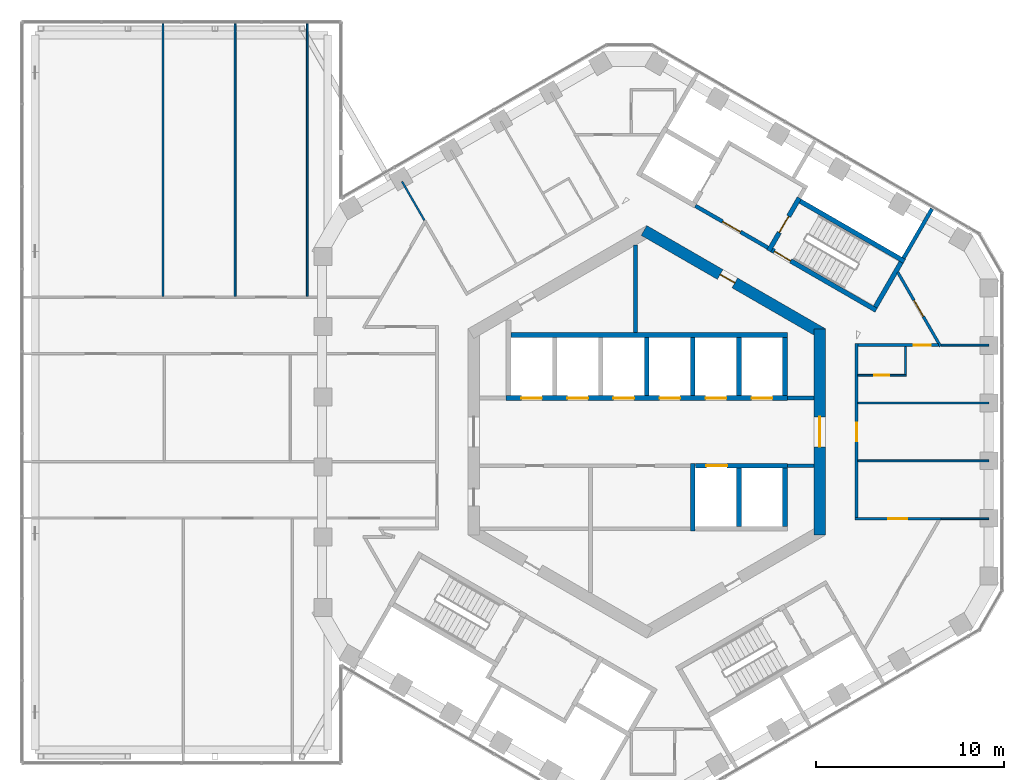
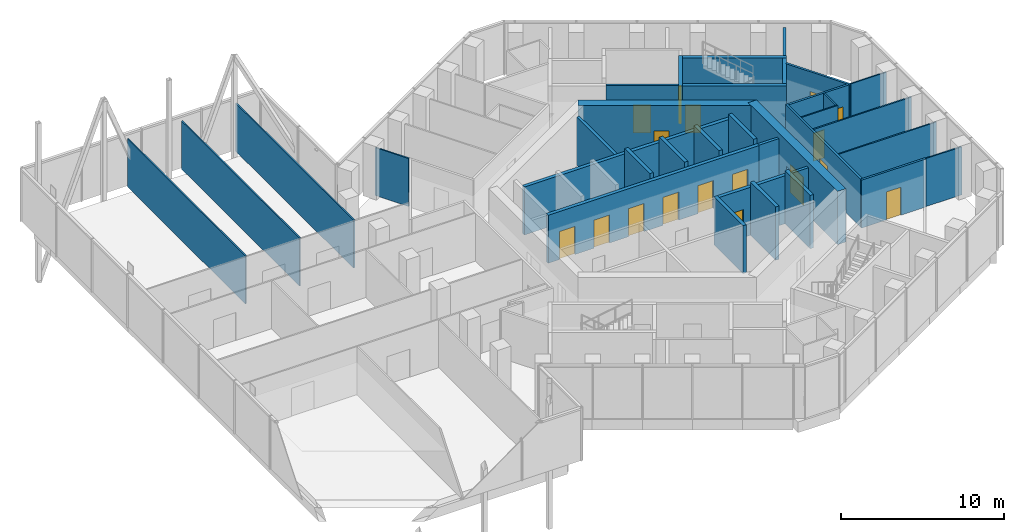
# One storey, part 17 of 21: 35 walls, 17 doors, 17 openings.
"""IFC4 building model written with IfcOpenShell, lengths in metres."""

from ifc_helpers import new_model, si_unit, direction, frame, frame_2d, origin, place, context, subcontext, project, spatial, rectangle, extrude, material, layer, layer_set, type_object, element, fill, save


model = new_model("IFC4")

# Units and contexts
model_context = context("Model", 3, precision=1e-05, world=origin(), true_north=direction((0.0, 1.0)))
body_context = subcontext(model_context, "Body", "Model", "MODEL_VIEW")
ifc_project = project(units=[si_unit("LENGTHUNIT", "METRE"), si_unit("AREAUNIT", "SQUARE_METRE"), si_unit("VOLUMEUNIT", "CUBIC_METRE"), si_unit("PLANEANGLEUNIT", "RADIAN"), si_unit("MASSUNIT", "GRAM", prefix="KILO")], contexts=[model_context])

# Site, building, storey
site_placement = place(None, origin())
site = spatial("IfcSite", under=ifc_project, at=site_placement, CompositionType="ELEMENT")
building_placement = place(site_placement, origin())
building = spatial("IfcBuilding", under=site, at=building_placement, Name="Ayvan Gate Tower", CompositionType="ELEMENT")
storey_placement = place(building_placement, frame((0.0, 0.0, 206.10009765625)))
storey = spatial("IfcBuildingStorey", under=building, at=storey_placement, Name="L55", CompositionType="ELEMENT", Elevation=206.10009765625)

# Wall, opening, door
ifc_material_1 = material(Name="Concrete C60/75", Category="concrete")
ifc_layer_1 = layer(ifc_material_1, 0.60009765625)
ifc_layer_set_1 = layer_set([ifc_layer_1], Name="Concrete C60/75")
wall_type_1 = type_object("IfcWallType", Name="Core wall 600 C60/75", PredefinedType="SHEAR", material=ifc_layer_set_1)
wall_1_placement = place(storey_placement, frame((9.199951171875, -5.48486328125, 0.0), z_axis=(0.0, 0.0, 1.0), x_axis=(0.0, 1.0, 0.0)))
wall_1 = element("IfcWall", 1, at=wall_1_placement, inside=storey, type_object=wall_type_1, Name="CORE-L55-0", PredefinedType="SHEAR", context=body_context, shape_type="SweptSolid", body=[
    extrude(rectangle(XDim=10.9697265625, YDim=0.60009765625, at=frame_2d((5.48486328125, 0.0))), origin(), (0.0, 0.0, 1.0), 4.0),
])
opening_1_placement = place(wall_1_placement, frame((4.684814453125, 0.0, 0.0)))
opening_1 = element("IfcOpeningElement", 2, at=opening_1_placement, cuts=wall_1, Name="Opening L55-D52", PredefinedType="OPENING", context=body_context, shape_type="SweptSolid", body=[
    extrude(rectangle(XDim=1.60009765625, YDim=2.10009765625, at=frame_2d((0.800048828125, 1.050048828125))), frame((0.0, 0.31005859375, 0.0), z_axis=(0.0, -1.0, 0.0), x_axis=(1.0, 0.0, 0.0)), (0.0, 0.0, 1.0), 0.6201171875),
])
ifc_material_2 = material(Name="Timber door leaf", Category="wood")
door_type_1 = type_object("IfcDoorType", Name="DT-1600", OperationType="NOTDEFINED", PredefinedType="DOOR", material=ifc_material_2)
door_1_placement = place(opening_1_placement, origin())
door_1 = element("IfcDoor", 3, at=door_1_placement, inside=storey, type_object=door_type_1, Name="CD-L55-52", OperationType="SINGLE_SWING_LEFT", OverallHeight=2.10009765625, OverallWidth=1.60009765625, PredefinedType="DOOR", context=body_context, shape_type="SweptSolid", body=[
    extrude(rectangle(XDim=1.60009765625, YDim=2.10009765625, at=frame_2d((0.800048828125, 1.050048828125))), frame((0.0, 0.02490234375, 0.0), z_axis=(0.0, -1.0, 0.0), x_axis=(1.0, 0.0, 0.0)), (0.0, 0.0, 1.0), 0.050048828125),
])
fill(opening_1, door_1)

wall_2_placement = place(storey_placement, frame((9.35009765625, 5.22509765625, 0.0), z_axis=(0.0, 0.0, 1.0), x_axis=(-0.866023993627, 0.500002442456, 0.0)))
wall_2 = element("IfcWall", 4, at=wall_2_placement, inside=storey, type_object=wall_type_1, Name="CORE-L55-1", PredefinedType="SHEAR", context=body_context, shape_type="SweptSolid", body=[
    extrude(rectangle(XDim=10.9697265625, YDim=0.60009765625, at=frame_2d((5.48486328125, 0.0))), origin(), (0.0, 0.0, 1.0), 4.0),
])
opening_2_placement = place(wall_2_placement, frame((5.393310546875, 0.0, 0.0)))
opening_2 = element("IfcOpeningElement", 5, at=opening_2_placement, cuts=wall_2, Name="Opening L55-D48", PredefinedType="OPENING", context=body_context, shape_type="SweptSolid", body=[
    extrude(rectangle(XDim=0.89990234375, YDim=2.10009765625, at=frame_2d((0.449951171875, 1.050048828125))), frame((0.0, 0.31005859375, 0.0), z_axis=(0.0, -1.0, 0.0), x_axis=(1.0, 0.0, 0.0)), (0.0, 0.0, 1.0), 0.6201171875),
])
door_type_2 = type_object("IfcDoorType", Name="DT-900", OperationType="NOTDEFINED", PredefinedType="DOOR", material=ifc_material_2)
door_2_placement = place(opening_2_placement, origin())
door_2 = element("IfcDoor", 6, at=door_2_placement, inside=storey, type_object=door_type_2, Name="CD-L55-48", OperationType="SINGLE_SWING_LEFT", OverallHeight=2.10009765625, OverallWidth=0.89990234375, PredefinedType="DOOR", context=body_context, shape_type="SweptSolid", body=[
    extrude(rectangle(XDim=0.89990234375, YDim=2.10009765625, at=frame_2d((0.449951171875, 1.050048828125))), frame((0.0, 0.02490234375, 0.0), z_axis=(0.0, -1.0, 0.0), x_axis=(1.0, 0.0, 0.0)), (0.0, 0.0, 1.0), 0.050048828125),
])
fill(opening_2, door_2)

ifc_material_3 = material(Name="Plasterboard on steel stud", Category="steel")
ifc_layer_2 = layer(ifc_material_3, 0.14990234375)
ifc_layer_set_2 = layer_set([ifc_layer_2], Name="Plasterboard on steel stud")
wall_type_2 = type_object("IfcWallType", Name="WT-CORR-150", PredefinedType="PARTITIONING", material=ifc_layer_set_2)
wall_3_placement = place(storey_placement, frame((11.074951171875, -4.614990234375, 0.0), z_axis=(0.0, 0.0, 1.0), x_axis=(1.0, 0.0, 0.0)))
wall_3 = element("IfcWall", 7, at=wall_3_placement, inside=storey, type_object=wall_type_2, Name="IW-L55-096", PredefinedType="PARTITIONING", context=body_context, shape_type="SweptSolid", body=[
    extrude(rectangle(XDim=4.5771484375, YDim=0.14990234375, at=frame_2d((2.28857421875, 0.0))), origin(), (0.0, 0.0, 1.0), 3.599853515625),
])
opening_3_placement = place(wall_3_placement, frame((1.771240234375, 0.0, 0.0)))
opening_3 = element("IfcOpeningElement", 8, at=opening_3_placement, cuts=wall_3, Name="Opening L55-D21", PredefinedType="OPENING", context=body_context, shape_type="SweptSolid", body=[
    extrude(rectangle(XDim=1.0, YDim=2.10009765625, at=frame_2d((0.5, 1.050048828125))), frame((0.0, 0.0849609375, 0.0), z_axis=(0.0, -1.0, 0.0), x_axis=(1.0, 0.0, 0.0)), (0.0, 0.0, 1.0), 0.169921875),
])
door_type_3 = type_object("IfcDoorType", Name="DT-1000", OperationType="NOTDEFINED", PredefinedType="DOOR", material=ifc_material_2)
door_3_placement = place(opening_3_placement, origin())
door_3 = element("IfcDoor", 9, at=door_3_placement, inside=storey, type_object=door_type_3, Name="ID-L55-021", OperationType="SINGLE_SWING_RIGHT", OverallHeight=2.10009765625, OverallWidth=1.0, PredefinedType="DOOR", context=body_context, shape_type="SweptSolid", body=[
    extrude(rectangle(XDim=1.0, YDim=2.10009765625, at=frame_2d((0.5, 1.050048828125))), frame((0.0, 0.02490234375, 0.0), z_axis=(0.0, -1.0, 0.0), x_axis=(1.0, 0.0, 0.0)), (0.0, 0.0, 1.0), 0.050048828125),
])
fill(opening_3, door_3)

wall_4_placement = place(storey_placement, frame((11.14990234375, -4.5400390625, 0.0), z_axis=(0.0, 0.0, 1.0), x_axis=(0.0, 1.0, 0.0)))
wall_4 = element("IfcWall", 10, at=wall_4_placement, inside=storey, type_object=wall_type_2, Name="IW-L55-098", PredefinedType="PARTITIONING", context=body_context, shape_type="SweptSolid", body=[
    extrude(rectangle(XDim=9.22998046875, YDim=0.14990234375, at=frame_2d((4.614990234375, 0.0))), origin(), (0.0, 0.0, 1.0), 3.599853515625),
])
opening_4_placement = place(wall_4_placement, frame((4.0400390625, 0.0, 0.0)))
opening_4 = element("IfcOpeningElement", 11, at=opening_4_placement, cuts=wall_4, Name="Opening L55-D22", PredefinedType="OPENING", context=body_context, shape_type="SweptSolid", body=[
    extrude(rectangle(XDim=1.0, YDim=2.10009765625, at=frame_2d((0.5, 1.050048828125))), frame((0.0, 0.0849609375, 0.0), z_axis=(0.0, -1.0, 0.0), x_axis=(1.0, 0.0, 0.0)), (0.0, 0.0, 1.0), 0.169921875),
])
door_4_placement = place(opening_4_placement, origin())
door_4 = element("IfcDoor", 12, at=door_4_placement, inside=storey, type_object=door_type_3, Name="ID-L55-022", OperationType="SINGLE_SWING_LEFT", OverallHeight=2.10009765625, OverallWidth=1.0, PredefinedType="DOOR", context=body_context, shape_type="SweptSolid", body=[
    extrude(rectangle(XDim=1.0, YDim=2.10009765625, at=frame_2d((0.5, 1.050048828125))), frame((0.0, 0.02490234375, 0.0), z_axis=(0.0, -1.0, 0.0), x_axis=(1.0, 0.0, 0.0)), (0.0, 0.0, 1.0), 0.050048828125),
])
fill(opening_4, door_4)

wall_5_placement = place(storey_placement, frame((13.34033203125, 8.489501953125, 0.0), z_axis=(0.0, 0.0, 1.0), x_axis=(0.499995010897, -0.866028284225, 0.0)))
wall_5 = element("IfcWall", 13, at=wall_5_placement, inside=storey, type_object=wall_type_2, Name="IW-L55-102", PredefinedType="PARTITIONING", context=body_context, shape_type="SweptSolid", body=[
    extrude(rectangle(XDim=4.548828125, YDim=0.14990234375, at=frame_2d((2.2744140625, 0.0))), origin(), (0.0, 0.0, 1.0), 3.599853515625),
])
opening_5_placement = place(wall_5_placement, frame((1.719482421875, 0.0, 0.0)))
opening_5 = element("IfcOpeningElement", 14, at=opening_5_placement, cuts=wall_5, Name="Opening L55-D25", PredefinedType="OPENING", context=body_context, shape_type="SweptSolid", body=[
    extrude(rectangle(XDim=1.0, YDim=2.10009765625, at=frame_2d((0.5, 1.050048828125))), frame((0.0, 0.0849609375, 0.0), z_axis=(0.0, -1.0, 0.0), x_axis=(1.0, 0.0, 0.0)), (0.0, 0.0, 1.0), 0.169921875),
])
door_5_placement = place(opening_5_placement, origin())
door_5 = element("IfcDoor", 15, at=door_5_placement, inside=storey, type_object=door_type_3, Name="ID-L55-025", OperationType="SINGLE_SWING_RIGHT", OverallHeight=2.10009765625, OverallWidth=1.0, PredefinedType="DOOR", context=body_context, shape_type="SweptSolid", body=[
    extrude(rectangle(XDim=1.0, YDim=2.10009765625, at=frame_2d((0.5, 1.050048828125))), frame((0.0, 0.02490234375, 0.0), z_axis=(0.0, -1.0, 0.0), x_axis=(1.0, 0.0, 0.0)), (0.0, 0.0, 1.0), 0.050048828125),
])
fill(opening_5, door_5)

wall_6_placement = place(storey_placement, frame((11.22509765625, 4.614990234375, 0.0), z_axis=(0.0, 0.0, 1.0), x_axis=(1.0, 0.0, 0.0)))
wall_6 = element("IfcWall", 16, at=wall_6_placement, inside=storey, type_object=wall_type_2, Name="IW-L55-105", PredefinedType="PARTITIONING", context=body_context, shape_type="SweptSolid", body=[
    extrude(rectangle(XDim=4.277099609375, YDim=0.14990234375, at=frame_2d((2.138671875, 0.0))), origin(), (0.0, 0.0, 1.0), 3.599853515625),
])
opening_6_placement = place(wall_6_placement, frame((2.966064453125, 0.0, 0.0)))
opening_6 = element("IfcOpeningElement", 17, at=opening_6_placement, cuts=wall_6, Name="Opening L55-D23", PredefinedType="OPENING", context=body_context, shape_type="SweptSolid", body=[
    extrude(rectangle(XDim=0.89990234375, YDim=2.10009765625, at=frame_2d((0.449951171875, 1.050048828125))), frame((0.0, 0.0849609375, 0.0), z_axis=(0.0, -1.0, 0.0), x_axis=(1.0, 0.0, 0.0)), (0.0, 0.0, 1.0), 0.169921875),
])
door_6_placement = place(opening_6_placement, origin())
door_6 = element("IfcDoor", 18, at=door_6_placement, inside=storey, type_object=door_type_2, Name="ID-L55-023", OperationType="SINGLE_SWING_RIGHT", OverallHeight=2.10009765625, OverallWidth=0.89990234375, PredefinedType="DOOR", context=body_context, shape_type="SweptSolid", body=[
    extrude(rectangle(XDim=0.89990234375, YDim=2.10009765625, at=frame_2d((0.449951171875, 1.050048828125))), frame((0.0, 0.02490234375, 0.0), z_axis=(0.0, -1.0, 0.0), x_axis=(1.0, 0.0, 0.0)), (0.0, 0.0, 1.0), 0.050048828125),
])
fill(opening_6, door_6)

# Walls
ifc_layer_3 = layer(ifc_material_3, 0.10009765625)
ifc_layer_set_3 = layer_set([ifc_layer_3], Name="Plasterboard on steel stud")
wall_type_3 = type_object("IfcWallType", Name="WT-PART-100", PredefinedType="PARTITIONING", material=ifc_layer_set_3)
for number, where, z_axis, x_axis, name in (
    (19, (-25.720703125, 7.21337890625, 0.0), (0.0, 0.0, 1.0), (0.0, 1.0, 0.0), "IW-L55-002"),
    (20, (-21.886962890625, 7.21337890625, 0.0), (0.0, 0.0, 1.0), (0.0, 1.0, 0.0), "IW-L55-007"),
    (21, (-18.053466796875, 7.21337890625, 0.0), (0.0, 0.0, 1.0), (0.0, 1.0, 0.0), "IW-L55-010"),
):
    element("IfcWall", number, at=place(storey_placement, frame(where, z_axis=z_axis, x_axis=x_axis)), inside=storey, type_object=wall_type_3, Name=name, PredefinedType="PARTITIONING", context=body_context, shape_type="SweptSolid", body=[
        extrude(rectangle(XDim=14.482666015625, YDim=0.10009765625, at=frame_2d((7.2412109375, 0.0))), origin(), (0.0, 0.0, 1.0), 3.599853515625),
    ])
wall_7_placement = place(storey_placement, frame((-11.82275390625, 11.24755859375, 0.0), z_axis=(0.0, 0.0, 1.0), x_axis=(-0.499938113561, 0.866061130988, 0.0)))
element("IfcWall", 22, at=wall_7_placement, inside=storey, type_object=wall_type_3, Name="IW-L55-022", PredefinedType="PARTITIONING", context=body_context, shape_type="SweptSolid", body=[
    extrude(rectangle(XDim=2.384521484375, YDim=0.10009765625, at=frame_2d((1.1923828125, 0.0))), origin(), (0.0, 0.0, 1.0), 3.599853515625),
])
for number, where, z_axis, x_axis, name in (
    (23, (11.22509765625, -1.538330078125, 0.0), (0.0, 0.0, 1.0), (1.0, 0.0, 0.0), "IW-L55-097"),
    (24, (11.22509765625, 1.538330078125, 0.0), (0.0, 0.0, 1.0), (1.0, 0.0, 0.0), "IW-L55-099"),
):
    element("IfcWall", number, at=place(storey_placement, frame(where, z_axis=z_axis, x_axis=x_axis)), inside=storey, type_object=wall_type_3, Name=name, PredefinedType="PARTITIONING", context=body_context, shape_type="SweptSolid", body=[
        extrude(rectangle(XDim=6.96142578125, YDim=0.10009765625, at=frame_2d((3.480712890625, 0.0))), origin(), (0.0, 0.0, 1.0), 3.599853515625),
    ])

# Wall, opening, door
wall_8_placement = place(storey_placement, frame((11.22509765625, 3.014892578125, 0.0), z_axis=(0.0, 0.0, 1.0), x_axis=(1.0, 0.0, 0.0)))
wall_8 = element("IfcWall", 25, at=wall_8_placement, inside=storey, type_object=wall_type_3, Name="IW-L55-100", PredefinedType="PARTITIONING", context=body_context, shape_type="SweptSolid", body=[
    extrude(rectangle(XDim=2.574951171875, YDim=0.10009765625, at=frame_2d((1.28759765625, 0.0))), origin(), (0.0, 0.0, 1.0), 3.599853515625),
])
opening_7_placement = place(wall_8_placement, frame((0.862548828125, 0.0, 0.0)))
opening_7 = element("IfcOpeningElement", 26, at=opening_7_placement, cuts=wall_8, Name="Opening L55-D24", PredefinedType="OPENING", context=body_context, shape_type="SweptSolid", body=[
    extrude(rectangle(XDim=0.800048828125, YDim=2.10009765625, at=frame_2d((0.39990234375, 1.050048828125))), frame((0.0, 0.06005859375, 0.0), z_axis=(0.0, -1.0, 0.0), x_axis=(1.0, 0.0, 0.0)), (0.0, 0.0, 1.0), 0.1201171875),
])
door_type_4 = type_object("IfcDoorType", Name="DT-800", OperationType="NOTDEFINED", PredefinedType="DOOR", material=ifc_material_2)
door_7_placement = place(opening_7_placement, origin())
door_7 = element("IfcDoor", 27, at=door_7_placement, inside=storey, type_object=door_type_4, Name="ID-L55-024", OperationType="SINGLE_SWING_LEFT", OverallHeight=2.10009765625, OverallWidth=0.800048828125, PredefinedType="DOOR", context=body_context, shape_type="SweptSolid", body=[
    extrude(rectangle(XDim=0.800048828125, YDim=2.10009765625, at=frame_2d((0.39990234375, 1.050048828125))), frame((0.0, 0.02490234375, 0.0), z_axis=(0.0, -1.0, 0.0), x_axis=(1.0, 0.0, 0.0)), (0.0, 0.0, 1.0), 0.050048828125),
])
fill(opening_7, door_7)

# Walls
wall_9_placement = place(storey_placement, frame((13.75, 3.06494140625, 0.0), z_axis=(0.0, 0.0, 1.0), x_axis=(0.0, 1.0, 0.0)))
element("IfcWall", 28, at=wall_9_placement, inside=storey, type_object=wall_type_3, Name="IW-L55-104", PredefinedType="PARTITIONING", context=body_context, shape_type="SweptSolid", body=[
    extrude(rectangle(XDim=1.47509765625, YDim=0.10009765625, at=frame_2d((0.737548828125, 0.0))), origin(), (0.0, 0.0, 1.0), 3.599853515625),
])
for number, where, z_axis, x_axis, name in (
    (29, (15.652099609375, 4.614990234375, 0.0), (0.0, 0.0, 1.0), (1.0, 0.0, 0.0), "IW-L55-107"),
    (30, (18.1865234375, -4.614990234375, 0.0), (0.0, 0.0, 1.0), (-1.0, 0.0, 0.0), "IW-L55-109"),
):
    element("IfcWall", number, at=place(storey_placement, frame(where, z_axis=z_axis, x_axis=x_axis)), inside=storey, type_object=wall_type_3, Name=name, PredefinedType="PARTITIONING", context=body_context, shape_type="SweptSolid", body=[
        extrude(rectangle(XDim=2.534423828125, YDim=0.10009765625, at=frame_2d((1.26708984375, 0.0))), origin(), (0.0, 0.0, 1.0), 3.599853515625),
    ])
ifc_layer_4 = layer(ifc_material_3, 0.199951171875)
ifc_layer_set_4 = layer_set([ifc_layer_4], Name="Plasterboard on steel stud")
wall_type_4 = type_object("IfcWallType", Name="WT-PLUMB-200", PredefinedType="PLUMBINGWALL", material=ifc_layer_set_4)
wall_10_placement = place(storey_placement, frame((15.16064453125, 11.85888671875, 0.0), z_axis=(0.0, 0.0, 1.0), x_axis=(-0.49999255039, -0.866029704776, 0.0)))
element("IfcWall", 31, at=wall_10_placement, inside=storey, type_object=wall_type_4, Name="IW-L55-106", PredefinedType="PLUMBINGWALL", context=body_context, shape_type="SweptSolid", body=[
    extrude(rectangle(XDim=3.025390625, YDim=0.199951171875, at=frame_2d((1.5126953125, 0.0))), origin(), (0.0, 0.0, 1.0), 3.599853515625),
])
ifc_layer_5 = layer(ifc_material_3, 0.199951171875)
ifc_layer_set_5 = layer_set([ifc_layer_5], Name="Plasterboard on steel stud")
wall_type_5 = type_object("IfcWallType", Name="WT-RATED-200", PredefinedType="PARTITIONING", material=ifc_layer_set_5)
wall_11_placement = place(storey_placement, frame((-0.60009765625, 9.930419921875, 0.0), z_axis=(0.0, 0.0, 1.0), x_axis=(0.0, -1.0, 0.0)))
element("IfcWall", 32, at=wall_11_placement, inside=storey, type_object=wall_type_5, Name="IW-L55-057", PredefinedType="PARTITIONING", context=body_context, shape_type="SweptSolid", body=[
    extrude(rectangle(XDim=4.655517578125, YDim=0.199951171875, at=frame_2d((2.32763671875, 0.0))), origin(), (0.0, 0.0, 1.0), 3.599853515625),
])

# Wall, opening, door
wall_12_placement = place(storey_placement, frame((6.4345703125, 9.794921875, 0.0), z_axis=(0.0, 0.0, 1.0), x_axis=(-0.866012907634, 0.500021643343, 0.0)))
wall_12 = element("IfcWall", 33, at=wall_12_placement, inside=storey, type_object=wall_type_5, Name="IW-L55-080", PredefinedType="PARTITIONING", context=body_context, shape_type="SweptSolid", body=[
    extrude(rectangle(XDim=4.449951171875, YDim=0.199951171875, at=frame_2d((2.22509765625, 0.0))), origin(), (0.0, 0.0, 1.0), 3.599853515625),
])
opening_8_placement = place(wall_12_placement, frame((1.675048828125, 0.0, 0.0)))
opening_8 = element("IfcOpeningElement", 34, at=opening_8_placement, cuts=wall_12, Name="Opening L55-D12", PredefinedType="OPENING", context=body_context, shape_type="SweptSolid", body=[
    extrude(rectangle(XDim=1.10009765625, YDim=2.10009765625, at=frame_2d((0.550048828125, 1.050048828125))), frame((0.0, 0.10986328125, 0.0), z_axis=(0.0, -1.0, 0.0), x_axis=(1.0, 0.0, 0.0)), (0.0, 0.0, 1.0), 0.219970703125),
])
door_type_5 = type_object("IfcDoorType", Name="DT-1100", OperationType="NOTDEFINED", PredefinedType="DOOR", material=ifc_material_2)
door_8_placement = place(opening_8_placement, origin())
door_8 = element("IfcDoor", 35, at=door_8_placement, inside=storey, type_object=door_type_5, Name="ID-L55-012", OperationType="SINGLE_SWING_LEFT", OverallHeight=2.10009765625, OverallWidth=1.10009765625, PredefinedType="DOOR", context=body_context, shape_type="SweptSolid", body=[
    extrude(rectangle(XDim=1.10009765625, YDim=2.10009765625, at=frame_2d((0.550048828125, 1.050048828125))), frame((0.0, 0.02490234375, 0.0), z_axis=(0.0, -1.0, 0.0), x_axis=(1.0, 0.0, 0.0)), (0.0, 0.0, 1.0), 0.050048828125),
])
fill(opening_8, door_8)

# Walls
for number, where, z_axis, x_axis, name in (
    (36, (7.474853515625, 1.800048828125, 0.0), (0.0, 0.0, 1.0), (1.0, 0.0, 0.0), "IW-L55-086"),
    (37, (8.89990234375, -1.800048828125, 0.0), (0.0, 0.0, 1.0), (-1.0, 0.0, 0.0), "IW-L55-092"),
):
    element("IfcWall", number, at=place(storey_placement, frame(where, z_axis=z_axis, x_axis=x_axis)), inside=storey, type_object=wall_type_5, Name=name, PredefinedType="PARTITIONING", context=body_context, shape_type="SweptSolid", body=[
        extrude(rectangle(XDim=1.425048828125, YDim=0.199951171875, at=frame_2d((0.71240234375, 0.0))), origin(), (0.0, 0.0, 1.0), 3.599853515625),
    ])

# Wall, openings, doors
ifc_material_4 = material(Name="Concrete C50/60", Category="concrete")
ifc_layer_6 = layer(ifc_material_4, 0.25)
ifc_layer_set_6 = layer_set([ifc_layer_6], Name="Concrete C50/60")
wall_type_6 = type_object("IfcWallType", Name="WT-RC-250", PredefinedType="SHEAR", material=ifc_layer_set_6)
wall_13_placement = place(storey_placement, frame((-7.47509765625, 1.800048828125, 0.0), z_axis=(0.0, 0.0, 1.0), x_axis=(1.0, 0.0, 0.0)))
wall_13 = element("IfcWall", 38, at=wall_13_placement, inside=storey, type_object=wall_type_6, Name="IW-L55-032", PredefinedType="SHEAR", context=body_context, shape_type="SweptSolid", body=[
    extrude(rectangle(XDim=14.9501953125, YDim=0.25, at=frame_2d((7.47509765625, 0.0))), origin(), (0.0, 0.0, 1.0), 3.599853515625),
])
opening_9_placement = place(wall_13_placement, frame((0.800048828125, 0.0, 0.0)))
opening_9 = element("IfcOpeningElement", 39, at=opening_9_placement, cuts=wall_13, Name="Opening L55-LD-HR1", PredefinedType="OPENING", context=body_context, shape_type="SweptSolid", body=[
    extrude(rectangle(XDim=1.10009765625, YDim=2.10009765625, at=frame_2d((0.550048828125, 1.050048828125))), frame((0.0, 0.135009765625, 0.0), z_axis=(0.0, -1.0, 0.0), x_axis=(1.0, 0.0, 0.0)), (0.0, 0.0, 1.0), 0.27001953125),
])
opening_10_placement = place(wall_13_placement, frame((3.25, 0.0, 0.0)))
opening_10 = element("IfcOpeningElement", 40, at=opening_10_placement, cuts=wall_13, Name="Opening L55-LD-HR2", PredefinedType="OPENING", context=body_context, shape_type="SweptSolid", body=[
    extrude(rectangle(XDim=1.10009765625, YDim=2.10009765625, at=frame_2d((0.550048828125, 1.050048828125))), frame((0.0, 0.135009765625, 0.0), z_axis=(0.0, -1.0, 0.0), x_axis=(1.0, 0.0, 0.0)), (0.0, 0.0, 1.0), 0.27001953125),
])
opening_11_placement = place(wall_13_placement, frame((5.7001953125, 0.0, 0.0)))
opening_11 = element("IfcOpeningElement", 41, at=opening_11_placement, cuts=wall_13, Name="Opening L55-LD-HR3", PredefinedType="OPENING", context=body_context, shape_type="SweptSolid", body=[
    extrude(rectangle(XDim=1.10009765625, YDim=2.10009765625, at=frame_2d((0.550048828125, 1.050048828125))), frame((0.0, 0.135009765625, 0.0), z_axis=(0.0, -1.0, 0.0), x_axis=(1.0, 0.0, 0.0)), (0.0, 0.0, 1.0), 0.27001953125),
])
opening_12_placement = place(wall_13_placement, frame((8.150146484375, 0.0, 0.0)))
opening_12 = element("IfcOpeningElement", 42, at=opening_12_placement, cuts=wall_13, Name="Opening L55-LD-HR4", PredefinedType="OPENING", context=body_context, shape_type="SweptSolid", body=[
    extrude(rectangle(XDim=1.10009765625, YDim=2.10009765625, at=frame_2d((0.550048828125, 1.050048828125))), frame((0.0, 0.135009765625, 0.0), z_axis=(0.0, -1.0, 0.0), x_axis=(1.0, 0.0, 0.0)), (0.0, 0.0, 1.0), 0.27001953125),
])
opening_13_placement = place(wall_13_placement, frame((10.60009765625, 0.0, 0.0)))
opening_13 = element("IfcOpeningElement", 43, at=opening_13_placement, cuts=wall_13, Name="Opening L55-LD-HR5", PredefinedType="OPENING", context=body_context, shape_type="SweptSolid", body=[
    extrude(rectangle(XDim=1.10009765625, YDim=2.10009765625, at=frame_2d((0.550048828125, 1.050048828125))), frame((0.0, 0.135009765625, 0.0), z_axis=(0.0, -1.0, 0.0), x_axis=(1.0, 0.0, 0.0)), (0.0, 0.0, 1.0), 0.27001953125),
])
opening_14_placement = place(wall_13_placement, frame((13.050048828125, 0.0, 0.0)))
opening_14 = element("IfcOpeningElement", 44, at=opening_14_placement, cuts=wall_13, Name="Opening L55-LD-HR6", PredefinedType="OPENING", context=body_context, shape_type="SweptSolid", body=[
    extrude(rectangle(XDim=1.10009765625, YDim=2.10009765625, at=frame_2d((0.550048828125, 1.050048828125))), frame((0.0, 0.135009765625, 0.0), z_axis=(0.0, -1.0, 0.0), x_axis=(1.0, 0.0, 0.0)), (0.0, 0.0, 1.0), 0.27001953125),
])
ifc_material_5 = material(Name="Stainless steel landing door", Category="steel")
door_type_6 = type_object("IfcDoorType", Name="DT-LANDING-1100", OperationType="SLIDING_TO_LEFT", PredefinedType="DOOR", material=ifc_material_5)
door_9_placement = place(opening_9_placement, origin())
door_9 = element("IfcDoor", 45, at=door_9_placement, inside=storey, type_object=door_type_6, Name="ID-L55-001", OperationType="SLIDING_TO_LEFT", OverallHeight=2.10009765625, OverallWidth=1.10009765625, PredefinedType="DOOR", context=body_context, shape_type="SweptSolid", body=[
    extrude(rectangle(XDim=1.10009765625, YDim=2.10009765625, at=frame_2d((0.550048828125, 1.050048828125))), frame((0.0, 0.02490234375, 0.0), z_axis=(0.0, -1.0, 0.0), x_axis=(1.0, 0.0, 0.0)), (0.0, 0.0, 1.0), 0.050048828125),
])
fill(opening_9, door_9)
door_10_placement = place(opening_10_placement, origin())
door_10 = element("IfcDoor", 46, at=door_10_placement, inside=storey, type_object=door_type_6, Name="ID-L55-002", OperationType="SLIDING_TO_LEFT", OverallHeight=2.10009765625, OverallWidth=1.10009765625, PredefinedType="DOOR", context=body_context, shape_type="SweptSolid", body=[
    extrude(rectangle(XDim=1.10009765625, YDim=2.10009765625, at=frame_2d((0.550048828125, 1.050048828125))), frame((0.0, 0.02490234375, 0.0), z_axis=(0.0, -1.0, 0.0), x_axis=(1.0, 0.0, 0.0)), (0.0, 0.0, 1.0), 0.050048828125),
])
fill(opening_10, door_10)
door_11_placement = place(opening_11_placement, origin())
door_11 = element("IfcDoor", 47, at=door_11_placement, inside=storey, type_object=door_type_6, Name="ID-L55-003", OperationType="SLIDING_TO_LEFT", OverallHeight=2.10009765625, OverallWidth=1.10009765625, PredefinedType="DOOR", context=body_context, shape_type="SweptSolid", body=[
    extrude(rectangle(XDim=1.10009765625, YDim=2.10009765625, at=frame_2d((0.550048828125, 1.050048828125))), frame((0.0, 0.02490234375, 0.0), z_axis=(0.0, -1.0, 0.0), x_axis=(1.0, 0.0, 0.0)), (0.0, 0.0, 1.0), 0.050048828125),
])
fill(opening_11, door_11)
door_12_placement = place(opening_12_placement, origin())
door_12 = element("IfcDoor", 48, at=door_12_placement, inside=storey, type_object=door_type_6, Name="ID-L55-004", OperationType="SLIDING_TO_LEFT", OverallHeight=2.10009765625, OverallWidth=1.10009765625, PredefinedType="DOOR", context=body_context, shape_type="SweptSolid", body=[
    extrude(rectangle(XDim=1.10009765625, YDim=2.10009765625, at=frame_2d((0.550048828125, 1.050048828125))), frame((0.0, 0.02490234375, 0.0), z_axis=(0.0, -1.0, 0.0), x_axis=(1.0, 0.0, 0.0)), (0.0, 0.0, 1.0), 0.050048828125),
])
fill(opening_12, door_12)
door_13_placement = place(opening_13_placement, origin())
door_13 = element("IfcDoor", 49, at=door_13_placement, inside=storey, type_object=door_type_6, Name="ID-L55-005", OperationType="SLIDING_TO_LEFT", OverallHeight=2.10009765625, OverallWidth=1.10009765625, PredefinedType="DOOR", context=body_context, shape_type="SweptSolid", body=[
    extrude(rectangle(XDim=1.10009765625, YDim=2.10009765625, at=frame_2d((0.550048828125, 1.050048828125))), frame((0.0, 0.02490234375, 0.0), z_axis=(0.0, -1.0, 0.0), x_axis=(1.0, 0.0, 0.0)), (0.0, 0.0, 1.0), 0.050048828125),
])
fill(opening_13, door_13)
door_14_placement = place(opening_14_placement, origin())
door_14 = element("IfcDoor", 50, at=door_14_placement, inside=storey, type_object=door_type_6, Name="ID-L55-006", OperationType="SLIDING_TO_LEFT", OverallHeight=2.10009765625, OverallWidth=1.10009765625, PredefinedType="DOOR", context=body_context, shape_type="SweptSolid", body=[
    extrude(rectangle(XDim=1.10009765625, YDim=2.10009765625, at=frame_2d((0.550048828125, 1.050048828125))), frame((0.0, 0.02490234375, 0.0), z_axis=(0.0, -1.0, 0.0), x_axis=(1.0, 0.0, 0.0)), (0.0, 0.0, 1.0), 0.050048828125),
])
fill(opening_14, door_14)

# Walls
wall_14_placement = place(storey_placement, frame((-7.22509765625, 5.14990234375, 0.0), z_axis=(0.0, 0.0, 1.0), x_axis=(1.0, 0.0, 0.0)))
element("IfcWall", 51, at=wall_14_placement, inside=storey, type_object=wall_type_6, Name="IW-L55-034", PredefinedType="SHEAR", context=body_context, shape_type="SweptSolid", body=[
    extrude(rectangle(XDim=14.7001953125, YDim=0.25, at=frame_2d((7.35009765625, 0.0))), origin(), (0.0, 0.0, 1.0), 3.599853515625),
])
wall_15_placement = place(storey_placement, frame((0.0, 5.02490234375, 0.0), z_axis=(0.0, 0.0, 1.0), x_axis=(0.0, -1.0, 0.0)))
element("IfcWall", 52, at=wall_15_placement, inside=storey, type_object=wall_type_6, Name="IW-L55-059", PredefinedType="SHEAR", context=body_context, shape_type="SweptSolid", body=[
    extrude(rectangle(XDim=3.099853515625, YDim=0.25, at=frame_2d((1.5498046875, 0.0))), origin(), (0.0, 0.0, 1.0), 4.0),
])
wall_16_placement = place(storey_placement, frame((2.449951171875, -5.27490234375, 0.0), z_axis=(0.0, 0.0, 1.0), x_axis=(0.0, 1.0, 0.0)))
element("IfcWall", 53, at=wall_16_placement, inside=storey, type_object=wall_type_6, Name="IW-L55-068", PredefinedType="SHEAR", context=body_context, shape_type="SweptSolid", body=[
    extrude(rectangle(XDim=3.599853515625, YDim=0.25, at=frame_2d((1.7998046875, 0.0))), origin(), (0.0, 0.0, 1.0), 3.599853515625),
])
for number, where, z_axis, x_axis, name in (
    (54, (2.449951171875, 5.02490234375, 0.0), (0.0, 0.0, 1.0), (0.0, -1.0, 0.0), "IW-L55-069"),
    (55, (4.89990234375, -1.925048828125, 0.0), (0.0, 0.0, 1.0), (0.0, -1.0, 0.0), "IW-L55-077"),
    (56, (4.89990234375, 5.02490234375, 0.0), (0.0, 0.0, 1.0), (0.0, -1.0, 0.0), "IW-L55-078"),
):
    element("IfcWall", number, at=place(storey_placement, frame(where, z_axis=z_axis, x_axis=x_axis)), inside=storey, type_object=wall_type_6, Name=name, PredefinedType="SHEAR", context=body_context, shape_type="SweptSolid", body=[
        extrude(rectangle(XDim=3.099853515625, YDim=0.25, at=frame_2d((1.5498046875, 0.0))), origin(), (0.0, 0.0, 1.0), 4.0),
    ])

# Wall, opening, door
wall_17_placement = place(storey_placement, frame((2.574951171875, -1.800048828125, 0.0), z_axis=(0.0, 0.0, 1.0), x_axis=(1.0, 0.0, 0.0)))
wall_17 = element("IfcWall", 57, at=wall_17_placement, inside=storey, type_object=wall_type_6, Name="IW-L55-079", PredefinedType="SHEAR", context=body_context, shape_type="SweptSolid", body=[
    extrude(rectangle(XDim=4.900146484375, YDim=0.25, at=frame_2d((2.4501953125, 0.0))), origin(), (0.0, 0.0, 1.0), 3.599853515625),
])
opening_15_placement = place(wall_17_placement, frame((0.597412109375, 0.0, 0.0)))
opening_15 = element("IfcOpeningElement", 58, at=opening_15_placement, cuts=wall_17, Name="Opening L55-LD-SV", PredefinedType="OPENING", context=body_context, shape_type="SweptSolid", body=[
    extrude(rectangle(XDim=1.10009765625, YDim=2.10009765625, at=frame_2d((0.550048828125, 1.050048828125))), frame((0.0, 0.135009765625, 0.0), z_axis=(0.0, -1.0, 0.0), x_axis=(1.0, 0.0, 0.0)), (0.0, 0.0, 1.0), 0.27001953125),
])
door_15_placement = place(opening_15_placement, origin())
door_15 = element("IfcDoor", 59, at=door_15_placement, inside=storey, type_object=door_type_6, Name="ID-L55-007", OperationType="SLIDING_TO_LEFT", OverallHeight=2.10009765625, OverallWidth=1.10009765625, PredefinedType="DOOR", context=body_context, shape_type="SweptSolid", body=[
    extrude(rectangle(XDim=1.10009765625, YDim=2.10009765625, at=frame_2d((0.550048828125, 1.050048828125))), frame((0.0, 0.02490234375, 0.0), z_axis=(0.0, -1.0, 0.0), x_axis=(1.0, 0.0, 0.0)), (0.0, 0.0, 1.0), 0.050048828125),
])
fill(opening_15, door_15)

wall_18_placement = place(storey_placement, frame((6.480224609375, 9.624267578125, 0.0), z_axis=(0.0, 0.0, 1.0), x_axis=(0.500017246033, 0.866015446554, 0.0)))
wall_18 = element("IfcWall", 60, at=wall_18_placement, inside=storey, type_object=wall_type_6, Name="IW-L55-081", PredefinedType="SHEAR", context=body_context, shape_type="SweptSolid", body=[
    extrude(rectangle(XDim=3.25, YDim=0.25, at=frame_2d((1.625, 0.0))), origin(), (0.0, 0.0, 1.0), 3.599853515625),
])
opening_16_placement = place(wall_18_placement, frame((1.125, 0.0, 0.0)))
opening_16 = element("IfcOpeningElement", 61, at=opening_16_placement, cuts=wall_18, Name="Opening L55-D11", PredefinedType="OPENING", context=body_context, shape_type="SweptSolid", body=[
    extrude(rectangle(XDim=1.0, YDim=2.10009765625, at=frame_2d((0.5, 1.050048828125))), frame((0.0, 0.135009765625, 0.0), z_axis=(0.0, -1.0, 0.0), x_axis=(1.0, 0.0, 0.0)), (0.0, 0.0, 1.0), 0.27001953125),
])
door_16_placement = place(opening_16_placement, origin())
door_16 = element("IfcDoor", 62, at=door_16_placement, inside=storey, type_object=door_type_3, Name="ID-L55-011", OperationType="SINGLE_SWING_RIGHT", OverallHeight=2.10009765625, OverallWidth=1.0, PredefinedType="DOOR", context=body_context, shape_type="SweptSolid", body=[
    extrude(rectangle(XDim=1.0, YDim=2.10009765625, at=frame_2d((0.5, 1.050048828125))), frame((0.0, 0.02490234375, 0.0), z_axis=(0.0, -1.0, 0.0), x_axis=(1.0, 0.0, 0.0)), (0.0, 0.0, 1.0), 0.050048828125),
])
fill(opening_16, door_16)

# Walls
for number, where, z_axis, x_axis, name in (
    (63, (7.35009765625, -1.925048828125, 0.0), (0.0, 0.0, 1.0), (0.0, -1.0, 0.0), "IW-L55-087"),
    (64, (7.35009765625, 5.02490234375, 0.0), (0.0, 0.0, 1.0), (0.0, -1.0, 0.0), "IW-L55-088"),
):
    element("IfcWall", number, at=place(storey_placement, frame(where, z_axis=z_axis, x_axis=x_axis)), inside=storey, type_object=wall_type_6, Name=name, PredefinedType="SHEAR", context=body_context, shape_type="SweptSolid", body=[
        extrude(rectangle(XDim=3.099853515625, YDim=0.25, at=frame_2d((1.5498046875, 0.0))), origin(), (0.0, 0.0, 1.0), 4.0),
    ])
wall_19_placement = place(storey_placement, frame((8.151123046875, 12.26806640625, 0.0), z_axis=(0.0, 0.0, 1.0), x_axis=(0.866025499775, -0.499999833739, 0.0)))
element("IfcWall", 65, at=wall_19_placement, inside=storey, type_object=wall_type_6, Name="IW-L55-090", PredefinedType="SHEAR", context=body_context, shape_type="SweptSolid", body=[
    extrude(rectangle(XDim=6.39990234375, YDim=0.25, at=frame_2d((3.199951171875, 0.0))), origin(), (0.0, 0.0, 1.0), 3.599853515625),
])

# Wall, opening, door
wall_20_placement = place(storey_placement, frame((12.193603515625, 6.469970703125, 0.0), z_axis=(0.0, 0.0, 1.0), x_axis=(-0.866025499775, 0.499999833739, 0.0)))
wall_20 = element("IfcWall", 66, at=wall_20_placement, inside=storey, type_object=wall_type_6, Name="IW-L55-101", PredefinedType="SHEAR", context=body_context, shape_type="SweptSolid", body=[
    extrude(rectangle(XDim=6.39990234375, YDim=0.25, at=frame_2d((3.199951171875, 0.0))), origin(), (0.0, 0.0, 1.0), 3.599853515625),
])
opening_17_placement = place(wall_20_placement, frame((5.25, 0.0, 0.0)))
opening_17 = element("IfcOpeningElement", 67, at=opening_17_placement, cuts=wall_20, Name="Opening L55-D10", PredefinedType="OPENING", context=body_context, shape_type="SweptSolid", body=[
    extrude(rectangle(XDim=1.0, YDim=2.10009765625, at=frame_2d((0.5, 1.050048828125))), frame((0.0, 0.135009765625, 0.0), z_axis=(0.0, -1.0, 0.0), x_axis=(1.0, 0.0, 0.0)), (0.0, 0.0, 1.0), 0.27001953125),
])
door_17_placement = place(opening_17_placement, origin())
door_17 = element("IfcDoor", 68, at=door_17_placement, inside=storey, type_object=door_type_3, Name="ID-L55-010", OperationType="SINGLE_SWING_LEFT", OverallHeight=2.10009765625, OverallWidth=1.0, PredefinedType="DOOR", context=body_context, shape_type="SweptSolid", body=[
    extrude(rectangle(XDim=1.0, YDim=2.10009765625, at=frame_2d((0.5, 1.050048828125))), frame((0.0, 0.02490234375, 0.0), z_axis=(0.0, -1.0, 0.0), x_axis=(1.0, 0.0, 0.0)), (0.0, 0.0, 1.0), 0.050048828125),
])
fill(opening_17, door_17)

# Wall
wall_21_placement = place(storey_placement, frame((12.14794921875, 6.640869140625, 0.0), z_axis=(0.0, 0.0, 1.0), x_axis=(0.500034990121, 0.866005201286, 0.0)))
element("IfcWall", 69, at=wall_21_placement, inside=storey, type_object=wall_type_6, Name="IW-L55-103", PredefinedType="SHEAR", context=body_context, shape_type="SweptSolid", body=[
    extrude(rectangle(XDim=2.749755859375, YDim=0.25, at=frame_2d((1.375, 0.0))), origin(), (0.0, 0.0, 1.0), 3.599853515625),
])

save(model, "model.ifc")
